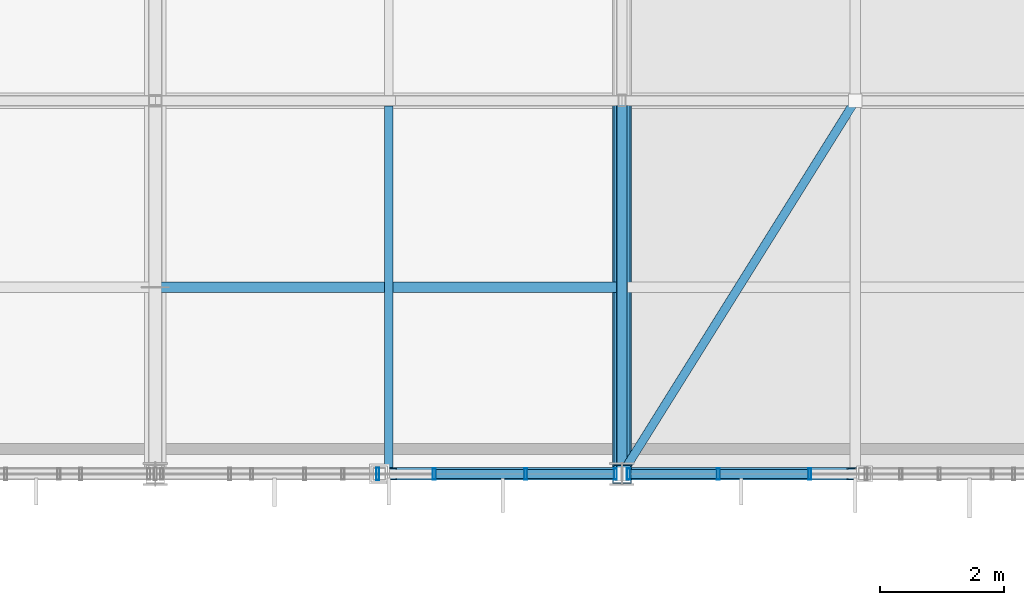
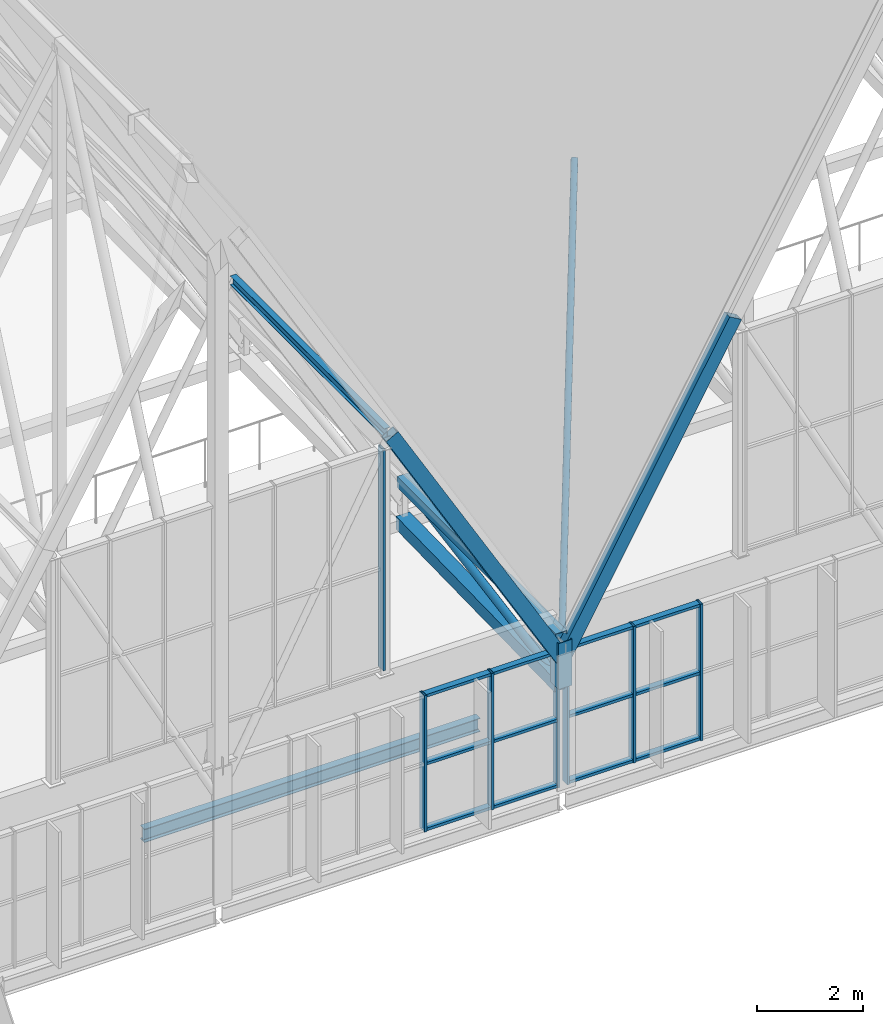
# One storey, part 101 of 324: 26 members, 2 beams, 3 elements without a shape of their own.
"""IFC4 building model written with IfcOpenShell, lengths in metres."""

from ifc_helpers import new_model, si_unit, direction, frame, origin, origin_2d, place, context, subcontext, project, spatial, hollow_rectangle, hollow_circle, i_section, extrude, material, layer, layer_set, material_profile, profile_set, type_object, element, aggregate, save


model = new_model("IFC4")

# Units and contexts
model_context = context("Model", 3, precision=1e-05, world=origin(), true_north=direction((0.0, 1.0)))
body_context = subcontext(model_context, "Body", "Model", "MODEL_VIEW")
ifc_project = project(units=[si_unit("LENGTHUNIT", "METRE"), si_unit("AREAUNIT", "SQUARE_METRE"), si_unit("VOLUMEUNIT", "CUBIC_METRE"), si_unit("PLANEANGLEUNIT", "RADIAN"), si_unit("MASSUNIT", "GRAM", prefix="KILO")], contexts=[model_context])

# Site, building, storey
site_placement = place(None, origin())
site = spatial("IfcSite", under=ifc_project, at=site_placement, CompositionType="ELEMENT")
building_placement = place(site_placement, origin())
building = spatial("IfcBuilding", under=site, at=building_placement, Name="Solvenia Promenade Tram Depot", CompositionType="ELEMENT")
storey_placement = place(building_placement, frame((0.0, 0.0, 4.5)))
storey = spatial("IfcBuildingStorey", under=building, at=storey_placement, Name="L01", CompositionType="ELEMENT", Elevation=4.5)

# Curtain wall, members
ifc_material_1 = material(Name="Anodized aluminium AW-6063 T6", Category="aluminium")
ifc_layer_1 = layer(ifc_material_1, 0.159912109375, Name="Anodized aluminium AW-6063 T6", Category="aluminium")
ifc_layer_set_1 = layer_set([ifc_layer_1], Name="Anodized aluminium AW-6063 T6")
curtain_wall_type_1 = type_object("IfcCurtainWallType", Name="CW-Channel-1500", PredefinedType="NOTDEFINED", material=ifc_layer_set_1)
curtain_wall_1_placement = place(storey_placement, origin())
curtain_wall_1 = element("IfcCurtainWall", 1, at=curtain_wall_1_placement, inside=storey, type_object=curtain_wall_type_1, Name="Curtain Wall CW-V1S1-02", PredefinedType="NOTDEFINED")
ifc_material_profile_1 = material_profile(ifc_material_1, hollow_rectangle(XDim=0.179931640625, YDim=0.050048828125, WallThickness=0.00390625, at=origin_2d()), Name="ALU-M2", Category="aluminium")
ifc_profile_set_1 = profile_set([ifc_material_profile_1], Name="Anodized aluminium AW-6063 T6")
member_type_1 = type_object("IfcMemberType", Name="CWM-Mullion-2", PredefinedType="MULLION", material=ifc_profile_set_1)
member_1_placement = place(storey_placement, frame((56.98388671875, 66.0, 0.0), z_axis=(0.0, 0.0, 1.0), x_axis=(0.0, 1.0, 0.0)))
member_1 = element("IfcMember", 2, at=member_1_placement, type_object=member_type_1, Name="CW-2 mullion 4", PredefinedType="MULLION", context=body_context, shape_type="SweptSolid", body=[
    extrude(hollow_rectangle(XDim=0.179931640625, YDim=0.050048828125, WallThickness=0.00390625, at=origin_2d()), origin(), (0.0, 0.0, 1.0), 3.14990234375),
])
member_2_placement = place(storey_placement, frame((58.451904296875, 66.0, 0.0), z_axis=(0.0, 0.0, 1.0), x_axis=(0.0, 1.0, 0.0)))
member_2 = element("IfcMember", 3, at=member_2_placement, type_object=member_type_1, Name="CW-2 mullion 5", PredefinedType="MULLION", context=body_context, shape_type="SweptSolid", body=[
    extrude(hollow_rectangle(XDim=0.179931640625, YDim=0.050048828125, WallThickness=0.00390625, at=origin_2d()), origin(), (0.0, 0.0, 1.0), 3.14990234375),
])
member_3_placement = place(storey_placement, frame((59.89501953125, 66.0, 0.0), z_axis=(0.0, 0.0, 1.0), x_axis=(0.0, 1.0, 0.0)))
member_3 = element("IfcMember", 4, at=member_3_placement, type_object=member_type_1, Name="CW-2 mullion 6", PredefinedType="MULLION", context=body_context, shape_type="SweptSolid", body=[
    extrude(hollow_rectangle(XDim=0.179931640625, YDim=0.050048828125, WallThickness=0.00390625, at=origin_2d()), origin(), (0.0, 0.0, 1.0), 3.14990234375),
])

curtain_wall_2_placement = place(storey_placement, origin())
curtain_wall_2 = element("IfcCurtainWall", 5, at=curtain_wall_2_placement, inside=storey, type_object=curtain_wall_type_1, Name="Curtain Wall CW-V1S1-03", PredefinedType="NOTDEFINED")
member_4_placement = place(storey_placement, frame((60.10498046875, 66.0, 0.0), z_axis=(0.0, 0.0, 1.0), x_axis=(0.0, 1.0, 0.0)))
member_4 = element("IfcMember", 6, at=member_4_placement, type_object=member_type_1, Name="CW-2 mullion 1", PredefinedType="MULLION", context=body_context, shape_type="SweptSolid", body=[
    extrude(hollow_rectangle(XDim=0.179931640625, YDim=0.050048828125, WallThickness=0.00390625, at=origin_2d()), origin(), (0.0, 0.0, 1.0), 3.14990234375),
])
member_5_placement = place(storey_placement, frame((61.548095703125, 66.0, 0.0), z_axis=(0.0, 0.0, 1.0), x_axis=(0.0, 1.0, 0.0)))
member_5 = element("IfcMember", 7, at=member_5_placement, type_object=member_type_1, Name="CW-2 mullion 2", PredefinedType="MULLION", context=body_context, shape_type="SweptSolid", body=[
    extrude(hollow_rectangle(XDim=0.179931640625, YDim=0.050048828125, WallThickness=0.00390625, at=origin_2d()), origin(), (0.0, 0.0, 1.0), 3.14990234375),
])
member_6_placement = place(storey_placement, frame((63.01611328125, 66.0, 0.0), z_axis=(0.0, 0.0, 1.0), x_axis=(0.0, 1.0, 0.0)))
member_6 = element("IfcMember", 8, at=member_6_placement, type_object=member_type_1, Name="CW-2 mullion 3", PredefinedType="MULLION", context=body_context, shape_type="SweptSolid", body=[
    extrude(hollow_rectangle(XDim=0.179931640625, YDim=0.050048828125, WallThickness=0.00390625, at=origin_2d()), origin(), (0.0, 0.0, 1.0), 3.14990234375),
])

# Curtain wall, member
ifc_layer_2 = layer(ifc_material_1, 0.14990234375, Name="Anodized aluminium AW-6063 T6", Category="aluminium")
ifc_layer_set_2 = layer_set([ifc_layer_2], Name="Anodized aluminium AW-6063 T6")
curtain_wall_type_2 = type_object("IfcCurtainWallType", Name="CW-Gable-1200", PredefinedType="NOTDEFINED", material=ifc_layer_set_2)
curtain_wall_3_placement = place(storey_placement, origin())
curtain_wall_3 = element("IfcCurtainWall", 9, at=curtain_wall_3_placement, inside=storey, type_object=curtain_wall_type_2, Name="South Zigzag Gable 04 Peak Glazing", PredefinedType="NOTDEFINED")
ifc_material_profile_2 = material_profile(ifc_material_1, hollow_rectangle(XDim=0.199951171875, YDim=0.048095703125, WallThickness=0.00390625, at=origin_2d()), Name="ALU-M3", Category="aluminium")
ifc_profile_set_2 = profile_set([ifc_material_profile_2], Name="Anodized aluminium AW-6063 T6")
member_type_2 = type_object("IfcMemberType", Name="CWM-Mullion-3", PredefinedType="MULLION", material=ifc_profile_set_2)
member_7_placement = place(storey_placement, frame((56.075927734375, 66.0, 4.050048828125), z_axis=(0.0, 0.0, 1.0), x_axis=(0.0, 1.0, 0.0)))
member_7 = element("IfcMember", 10, at=member_7_placement, type_object=member_type_2, Name="CW-3 mullion 7", PredefinedType="MULLION", context=body_context, shape_type="SweptSolid", body=[
    extrude(hollow_rectangle(XDim=0.199951171875, YDim=0.048095703125, WallThickness=0.00390625, at=origin_2d()), origin(), (0.0, 0.0, 1.0), 5.099853515625),
])
aggregate(curtain_wall_3, [member_7])

# Member
ifc_material_profile_3 = material_profile(ifc_material_1, hollow_rectangle(XDim=0.139892578125, YDim=0.06494140625, WallThickness=0.00390625, at=origin_2d()), Name="ALU-T2", Category="aluminium")
ifc_profile_set_3 = profile_set([ifc_material_profile_3], Name="Anodized aluminium AW-6063 T6")
member_type_3 = type_object("IfcMemberType", Name="CWT-Transom-2", PredefinedType="USERDEFINED", material=ifc_profile_set_3)
member_8_placement = place(storey_placement, frame((57.009033203125, 66.0, 0.032470703125), z_axis=(1.0, 0.0, 0.0), x_axis=(0.0, 1.0, 0.0)))
member_8 = element("IfcMember", 11, at=member_8_placement, type_object=member_type_3, Name="CW-2 transom 4.1", ObjectType="TRANSOM", PredefinedType="USERDEFINED", context=body_context, shape_type="SweptSolid", body=[
    extrude(hollow_rectangle(XDim=0.139892578125, YDim=0.06494140625, WallThickness=0.00390625, at=origin_2d()), origin(), (0.0, 0.0, 1.0), 1.41796875),
])

member_9_placement = place(storey_placement, frame((57.009033203125, 66.0, 1.550048828125), z_axis=(1.0, 0.0, 0.0), x_axis=(0.0, 1.0, 0.0)))
member_9 = element("IfcMember", 12, at=member_9_placement, type_object=member_type_3, Name="CW-2 transom 4.2", ObjectType="TRANSOM", PredefinedType="USERDEFINED", context=body_context, shape_type="SweptSolid", body=[
    extrude(hollow_rectangle(XDim=0.139892578125, YDim=0.06494140625, WallThickness=0.00390625, at=origin_2d()), origin(), (0.0, 0.0, 1.0), 1.41796875),
])

member_10_placement = place(storey_placement, frame((57.009033203125, 66.0, 3.117431640625), z_axis=(1.0, 0.0, 0.0), x_axis=(0.0, 1.0, 0.0)))
member_10 = element("IfcMember", 13, at=member_10_placement, type_object=member_type_3, Name="CW-2 transom 4.3", ObjectType="TRANSOM", PredefinedType="USERDEFINED", context=body_context, shape_type="SweptSolid", body=[
    extrude(hollow_rectangle(XDim=0.139892578125, YDim=0.06494140625, WallThickness=0.00390625, at=origin_2d()), origin(), (0.0, 0.0, 1.0), 1.41796875),
])

member_11_placement = place(storey_placement, frame((58.47705078125, 66.0, 0.032470703125), z_axis=(1.0, 0.0, 0.0), x_axis=(0.0, 1.0, 0.0)))
member_11 = element("IfcMember", 14, at=member_11_placement, type_object=member_type_3, Name="CW-2 transom 5.1", ObjectType="TRANSOM", PredefinedType="USERDEFINED", context=body_context, shape_type="SweptSolid", body=[
    extrude(hollow_rectangle(XDim=0.139892578125, YDim=0.06494140625, WallThickness=0.00390625, at=origin_2d()), origin(), (0.0, 0.0, 1.0), 1.39306640625),
])

member_12_placement = place(storey_placement, frame((58.47705078125, 66.0, 1.550048828125), z_axis=(1.0, 0.0, 0.0), x_axis=(0.0, 1.0, 0.0)))
member_12 = element("IfcMember", 15, at=member_12_placement, type_object=member_type_3, Name="CW-2 transom 5.2", ObjectType="TRANSOM", PredefinedType="USERDEFINED", context=body_context, shape_type="SweptSolid", body=[
    extrude(hollow_rectangle(XDim=0.139892578125, YDim=0.06494140625, WallThickness=0.00390625, at=origin_2d()), origin(), (0.0, 0.0, 1.0), 1.39306640625),
])

member_13_placement = place(storey_placement, frame((58.47705078125, 66.0, 3.117431640625), z_axis=(1.0, 0.0, 0.0), x_axis=(0.0, 1.0, 0.0)))
member_13 = element("IfcMember", 16, at=member_13_placement, type_object=member_type_3, Name="CW-2 transom 5.3", ObjectType="TRANSOM", PredefinedType="USERDEFINED", context=body_context, shape_type="SweptSolid", body=[
    extrude(hollow_rectangle(XDim=0.139892578125, YDim=0.06494140625, WallThickness=0.00390625, at=origin_2d()), origin(), (0.0, 0.0, 1.0), 1.39306640625),
])

aggregate(curtain_wall_1, [member_1, member_2, member_3, member_8, member_9, member_10, member_11, member_12, member_13])

member_14_placement = place(storey_placement, frame((60.1298828125, 66.0, 0.032470703125), z_axis=(1.0, 0.0, 0.0), x_axis=(0.0, 1.0, 0.0)))
member_14 = element("IfcMember", 17, at=member_14_placement, type_object=member_type_3, Name="CW-2 transom 1.1", ObjectType="TRANSOM", PredefinedType="USERDEFINED", context=body_context, shape_type="SweptSolid", body=[
    extrude(hollow_rectangle(XDim=0.139892578125, YDim=0.06494140625, WallThickness=0.00390625, at=origin_2d()), origin(), (0.0, 0.0, 1.0), 1.39306640625),
])

member_15_placement = place(storey_placement, frame((60.1298828125, 66.0, 1.550048828125), z_axis=(1.0, 0.0, 0.0), x_axis=(0.0, 1.0, 0.0)))
member_15 = element("IfcMember", 18, at=member_15_placement, type_object=member_type_3, Name="CW-2 transom 1.2", ObjectType="TRANSOM", PredefinedType="USERDEFINED", context=body_context, shape_type="SweptSolid", body=[
    extrude(hollow_rectangle(XDim=0.139892578125, YDim=0.06494140625, WallThickness=0.00390625, at=origin_2d()), origin(), (0.0, 0.0, 1.0), 1.39306640625),
])

member_16_placement = place(storey_placement, frame((60.1298828125, 66.0, 3.117431640625), z_axis=(1.0, 0.0, 0.0), x_axis=(0.0, 1.0, 0.0)))
member_16 = element("IfcMember", 19, at=member_16_placement, type_object=member_type_3, Name="CW-2 transom 1.3", ObjectType="TRANSOM", PredefinedType="USERDEFINED", context=body_context, shape_type="SweptSolid", body=[
    extrude(hollow_rectangle(XDim=0.139892578125, YDim=0.06494140625, WallThickness=0.00390625, at=origin_2d()), origin(), (0.0, 0.0, 1.0), 1.39306640625),
])

member_17_placement = place(storey_placement, frame((61.572998046875, 66.0, 0.032470703125), z_axis=(1.0, 0.0, 0.0), x_axis=(0.0, 1.0, 0.0)))
member_17 = element("IfcMember", 20, at=member_17_placement, type_object=member_type_3, Name="CW-2 transom 2.1", ObjectType="TRANSOM", PredefinedType="USERDEFINED", context=body_context, shape_type="SweptSolid", body=[
    extrude(hollow_rectangle(XDim=0.139892578125, YDim=0.06494140625, WallThickness=0.00390625, at=origin_2d()), origin(), (0.0, 0.0, 1.0), 1.41796875),
])

member_18_placement = place(storey_placement, frame((61.572998046875, 66.0, 1.550048828125), z_axis=(1.0, 0.0, 0.0), x_axis=(0.0, 1.0, 0.0)))
member_18 = element("IfcMember", 21, at=member_18_placement, type_object=member_type_3, Name="CW-2 transom 2.2", ObjectType="TRANSOM", PredefinedType="USERDEFINED", context=body_context, shape_type="SweptSolid", body=[
    extrude(hollow_rectangle(XDim=0.139892578125, YDim=0.06494140625, WallThickness=0.00390625, at=origin_2d()), origin(), (0.0, 0.0, 1.0), 1.41796875),
])

member_19_placement = place(storey_placement, frame((61.572998046875, 66.0, 3.117431640625), z_axis=(1.0, 0.0, 0.0), x_axis=(0.0, 1.0, 0.0)))
member_19 = element("IfcMember", 22, at=member_19_placement, type_object=member_type_3, Name="CW-2 transom 2.3", ObjectType="TRANSOM", PredefinedType="USERDEFINED", context=body_context, shape_type="SweptSolid", body=[
    extrude(hollow_rectangle(XDim=0.139892578125, YDim=0.06494140625, WallThickness=0.00390625, at=origin_2d()), origin(), (0.0, 0.0, 1.0), 1.41796875),
])

aggregate(curtain_wall_2, [member_4, member_5, member_6, member_14, member_15, member_16, member_17, member_18, member_19])

# Members
ifc_material_2 = material(Name="Structural steel ASTM A500 Gr. C", Category="steel")
ifc_material_profile_4 = material_profile(ifc_material_2, hollow_rectangle(XDim=0.25, YDim=0.25, WallThickness=0.010009765625, at=origin_2d()), Name="HSS250x250x10", Category="steel")
ifc_profile_set_4 = profile_set([ifc_material_profile_4], Name="Structural steel ASTM A500 Gr. C")
member_type_4 = type_object("IfcMemberType", Name="Chord-HSS250x250x10", PredefinedType="CHORD", material=ifc_profile_set_4)
member_20_placement = place(storey_placement, frame((60.0, 66.0, 3.3798828125), z_axis=(0.0, 1.0, 0.0), x_axis=(-1.0, 0.0, 0.0)))
element("IfcMember", 23, at=member_20_placement, inside=storey, type_object=member_type_4, Name="Arched Truss T09 Upper Chord S01", PredefinedType="CHORD", context=body_context, shape_type="SweptSolid", body=[
    extrude(hollow_rectangle(XDim=0.25, YDim=0.25, WallThickness=0.010009765625, at=origin_2d()), origin(), (0.0, 0.0, 1.0), 6.0),
])
ifc_material_profile_5 = material_profile(ifc_material_2, hollow_rectangle(XDim=0.199951171875, YDim=0.300048828125, WallThickness=0.012451171875, at=origin_2d()), Name="HSS300x200x12.5", Category="steel")
ifc_profile_set_5 = profile_set([ifc_material_profile_5], Name="Structural steel ASTM A500 Gr. C")
member_type_5 = type_object("IfcMemberType", Name="Chord-HSS300x200x12", PredefinedType="CHORD", material=ifc_profile_set_5)
member_21_placement = place(storey_placement, frame((56.25, 66.0, 9.39013671875), z_axis=(0.501516268578, 0.0, -0.865148214095), x_axis=(0.0, 1.0, 0.0)))
element("IfcMember", 24, at=member_21_placement, inside=storey, type_object=member_type_5, Name="Zigzag Gable 04 East Lower Rafter", PredefinedType="CHORD", context=body_context, shape_type="SweptSolid", body=[
    extrude(hollow_rectangle(XDim=0.199951171875, YDim=0.300048828125, WallThickness=0.012451171875, at=origin_2d()), origin(), (0.0, 0.0, 1.0), 7.477294921875),
])
member_22_placement = place(storey_placement, frame((60.0, 66.0, 2.916259765625), z_axis=(0.494861595532, 0.0, 0.868971806946), x_axis=(0.0, 1.0, 0.0)))
element("IfcMember", 25, at=member_22_placement, inside=storey, type_object=member_type_5, Name="Zigzag Gable 05 West Lower Rafter", PredefinedType="CHORD", context=body_context, shape_type="SweptSolid", body=[
    extrude(hollow_rectangle(XDim=0.199951171875, YDim=0.300048828125, WallThickness=0.012451171875, at=origin_2d()), origin(), (0.0, 0.0, 1.0), 7.577880859375),
])
ifc_material_profile_6 = material_profile(ifc_material_2, hollow_rectangle(XDim=0.300048828125, YDim=0.300048828125, WallThickness=0.012451171875, at=origin_2d()), Name="HSS300x300x12.5", Category="steel")
ifc_profile_set_6 = profile_set([ifc_material_profile_6], Name="Structural steel ASTM A500 Gr. C")
member_type_6 = type_object("IfcMemberType", Name="Chord-HSS300x300x12", PredefinedType="CHORD", material=ifc_profile_set_6)
member_23_placement = place(storey_placement, frame((60.0, 66.0, 2.320068359375), z_axis=(0.0, 0.0, 1.0), x_axis=(1.0, 0.0, 0.0)))
element("IfcMember", 26, at=member_23_placement, inside=storey, type_object=member_type_6, Name="Arched Truss T09 S End Post", PredefinedType="CHORD", context=body_context, shape_type="SweptSolid", body=[
    extrude(hollow_rectangle(XDim=0.300048828125, YDim=0.300048828125, WallThickness=0.012451171875, at=origin_2d()), origin(), (0.0, 0.0, 1.0), 1.059814453125),
])
member_24_placement = place(storey_placement, frame((60.0, 66.0, 2.320068359375), z_axis=(0.0, 0.999779654873, 0.020991467363), x_axis=(-1.0, 0.0, 0.0)))
element("IfcMember", 27, at=member_24_placement, inside=storey, type_object=member_type_6, Name="Arched Truss T09 Bottom Chord S01", PredefinedType="CHORD", context=body_context, shape_type="SweptSolid", body=[
    extrude(hollow_rectangle(XDim=0.300048828125, YDim=0.300048828125, WallThickness=0.012451171875, at=origin_2d()), origin(), (0.0, 0.0, 1.0), 6.001220703125),
])

# Beams
ifc_material_3 = material(Name="Structural steel ASTM A992 Gr. 50", Category="steel")
ifc_material_profile_7 = material_profile(ifc_material_3, i_section(OverallWidth=0.166015625, OverallDepth=0.31298828125, WebThickness=0.006591796875, FlangeThickness=0.01123046875, FilletRadius=0.010009765625, at=origin_2d()), Name="W310x45", Category="steel")
ifc_profile_set_7 = profile_set([ifc_material_profile_7], Name="Structural steel ASTM A992 Gr. 50")
beam_type_1 = type_object("IfcBeamType", Name="Joist-W310x45", PredefinedType="JOIST", material=ifc_profile_set_7)
beam_1_placement = place(storey_placement, frame((52.5849609375, 69.0, -0.37646484375), z_axis=(1.0, 0.0, 0.0), x_axis=(0.0, 1.0, 0.0)))
element("IfcBeam", 28, at=beam_1_placement, inside=storey, type_object=beam_type_1, Name="Secondary Floor Joist BM-L01-0082", PredefinedType="JOIST", context=body_context, shape_type="SweptSolid", body=[
    extrude(i_section(OverallWidth=0.166015625, OverallDepth=0.31298828125, WebThickness=0.006591796875, FlangeThickness=0.01123046875, FilletRadius=0.010009765625, at=origin_2d()), origin(), (0.0, 0.0, 1.0), 7.330078125),
])
ifc_material_profile_8 = material_profile(ifc_material_3, i_section(OverallWidth=0.133056640625, OverallDepth=0.20703125, WebThickness=0.005859375, FlangeThickness=0.00830078125, FilletRadius=0.009033203125, at=origin_2d()), Name="W200x27", Category="steel")
ifc_profile_set_8 = profile_set([ifc_material_profile_8], Name="Structural steel ASTM A992 Gr. 50")
beam_type_2 = type_object("IfcBeamType", Name="Purlin-W200x27", PredefinedType="USERDEFINED", material=ifc_profile_set_8)
beam_2_placement = place(storey_placement, frame((56.25, 66.0849609375, 9.375732421875), z_axis=(0.0, 1.0, 0.0), x_axis=(-1.0, 0.0, 0.0)))
element("IfcBeam", 29, at=beam_2_placement, inside=storey, type_object=beam_type_2, Name="Gable Roof Purlin E-0062", ObjectType="PURLIN", PredefinedType="USERDEFINED", context=body_context, shape_type="SweptSolid", body=[
    extrude(i_section(OverallWidth=0.133056640625, OverallDepth=0.20703125, WebThickness=0.005859375, FlangeThickness=0.00830078125, FilletRadius=0.009033203125, at=origin_2d()), origin(), (0.0, 0.0, 1.0), 5.830078125),
])

# Members
ifc_material_profile_9 = material_profile(ifc_material_2, hollow_circle(Radius=0.06982421875, WallThickness=0.00634765625, at=origin_2d()), Name="CHS139.7x6.3", Category="steel")
ifc_profile_set_9 = profile_set([ifc_material_profile_9], Name="Structural steel ASTM A500 Gr. C")
member_type_7 = type_object("IfcMemberType", Name="RoofBrace-CHS140x6", PredefinedType="BRACE", material=ifc_profile_set_9)
member_25_placement = place(storey_placement, frame((60.0, 66.0, 2.916259765625), z_axis=(0.387973041427, 0.620756866284, 0.681276619361), x_axis=(-0.847998304005, 0.529998940003, 0.0)))
element("IfcMember", 30, at=member_25_placement, inside=storey, type_object=member_type_7, Name="Roof Plan Wind Brace 009", PredefinedType="BRACE", context=body_context, shape_type="SweptSolid", body=[
    extrude(hollow_circle(Radius=0.06982421875, WallThickness=0.00634765625, at=origin_2d()), origin(), (0.0, 0.0, 1.0), 9.66552734375),
])
ifc_material_profile_10 = material_profile(ifc_material_2, hollow_circle(Radius=0.084228515625, WallThickness=0.008056640625, at=origin_2d()), Name="CHS168.3x8", Category="steel")
ifc_profile_set_10 = profile_set([ifc_material_profile_10], Name="Structural steel ASTM A500 Gr. C")
member_type_8 = type_object("IfcMemberType", Name="WebDiag-CHS168x8", PredefinedType="BRACE", material=ifc_profile_set_10)
member_26_placement = place(storey_placement, frame((60.0, 66.0, 2.320068359375), z_axis=(0.0, 0.984755712458, 0.173943056143), x_axis=(-1.0, 0.0, 0.0)))
element("IfcMember", 31, at=member_26_placement, inside=storey, type_object=member_type_8, Name="Arched Truss T09 Web Diagonal S01", PredefinedType="BRACE", context=body_context, shape_type="SweptSolid", body=[
    extrude(hollow_circle(Radius=0.084228515625, WallThickness=0.008056640625, at=origin_2d()), origin(), (0.0, 0.0, 1.0), 6.0927734375),
])

save(model, "model.ifc")
